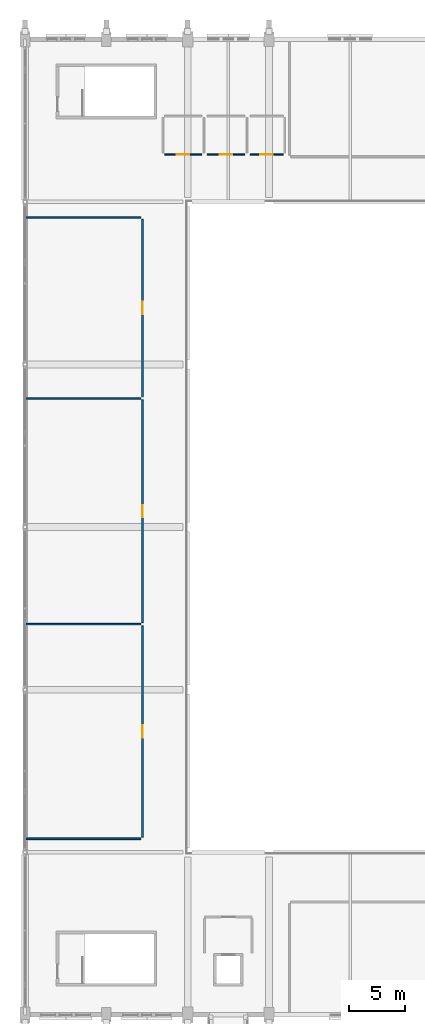
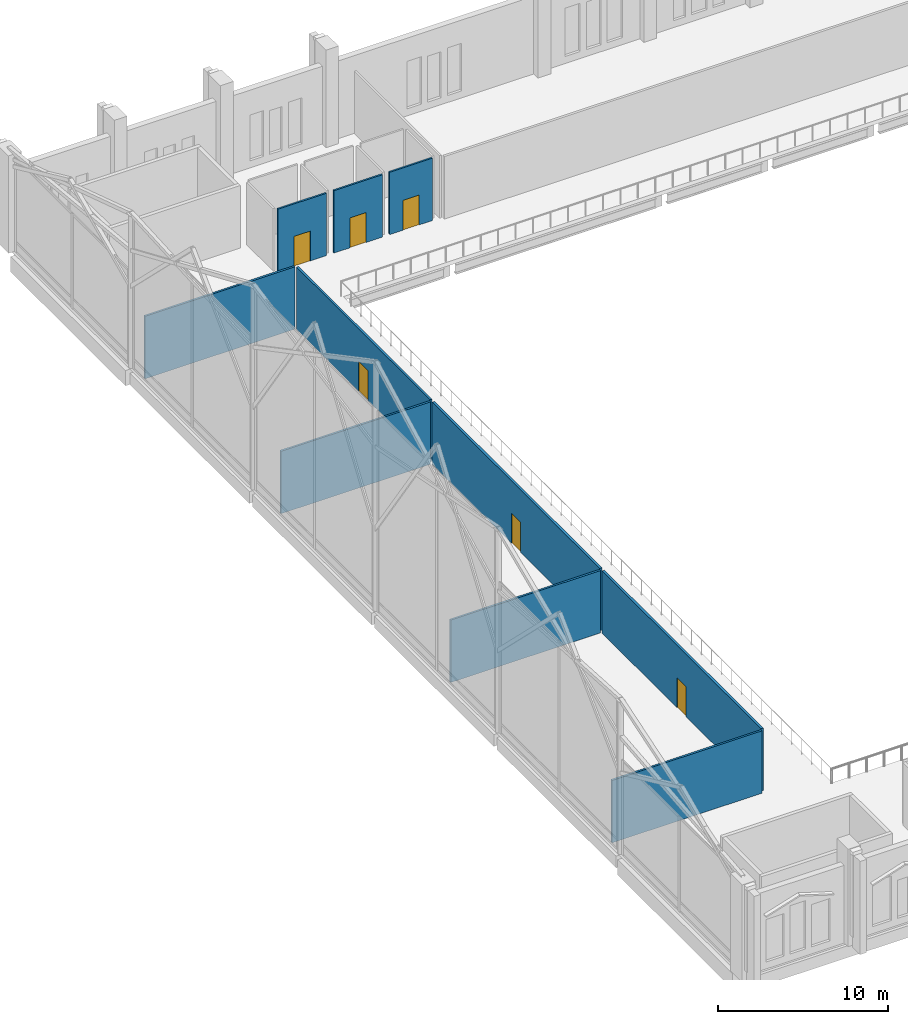
# One storey, part 155 of 220: 10 walls, 6 doors, 6 openings.
"""IFC4 building model written with IfcOpenShell, lengths in metres."""

from ifc_helpers import new_model, si_unit, direction, frame, frame_2d, origin, place, context, subcontext, project, spatial, rectangle, extrude, material, layer, layer_set, type_object, element, fill, save


model = new_model("IFC4")

# Units and contexts
model_context = context("Model", 3, precision=1e-05, world=origin(), true_north=direction((0.0, 1.0)))
body_context = subcontext(model_context, "Body", "Model", "MODEL_VIEW")
ifc_project = project(units=[si_unit("LENGTHUNIT", "METRE"), si_unit("AREAUNIT", "SQUARE_METRE"), si_unit("VOLUMEUNIT", "CUBIC_METRE"), si_unit("PLANEANGLEUNIT", "RADIAN"), si_unit("MASSUNIT", "GRAM", prefix="KILO")], contexts=[model_context])

# Site, building, storey
site_placement = place(None, origin())
site = spatial("IfcSite", under=ifc_project, at=site_placement, CompositionType="ELEMENT")
building_placement = place(site_placement, origin())
building = spatial("IfcBuilding", under=site, at=building_placement, Name="Cendralis Lancet Convention Centre", CompositionType="ELEMENT")
storey_placement = place(building_placement, frame((0.0, 0.0, 5.39990234375)))
storey = spatial("IfcBuildingStorey", under=building, at=storey_placement, Name="L01", CompositionType="ELEMENT", Elevation=5.39990234375)

# Wall, opening, door
ifc_material_1 = material(Name="Acoustic fire-rated gypsum board on steel studs", Category="steel")
ifc_layer_1 = layer(ifc_material_1, 0.1201171875, Name="Acoustic fire-rated gypsum board on steel studs")
ifc_layer_set_1 = layer_set([ifc_layer_1], Name="Acoustic fire-rated gypsum board on steel studs")
wall_type_1 = type_object("IfcWallType", Name="ARC-IW-P120", PredefinedType="PARTITIONING", material=ifc_layer_set_1)
wall_1_placement = place(storey_placement, frame((12.35009765625, 126.60009765625, 0.0), z_axis=(0.0, 0.0, 1.0), x_axis=(1.0, 0.0, 0.0)))
wall_1 = element("IfcWall", 1, at=wall_1_placement, inside=storey, type_object=wall_type_1, Name="L01 Interior Partition IW-05 #0045", PredefinedType="PARTITIONING", context=body_context, shape_type="SweptSolid", body=[
    extrude(rectangle(XDim=3.2998046875, YDim=0.1201171875, at=frame_2d((1.64990234375, 0.0))), origin(), (0.0, 0.0, 1.0), 4.485107421875),
])
opening_1_placement = place(wall_1_placement, frame((1.10009765625, 0.0, 0.0)))
opening_1 = element("IfcOpeningElement", 2, at=opening_1_placement, cuts=wall_1, Name="Opening FD-11", PredefinedType="OPENING", context=body_context, shape_type="SweptSolid", body=[
    extrude(rectangle(XDim=1.10009765625, YDim=2.14990234375, at=frame_2d((0.550048828125, 1.074951171875))), frame((0.0, 0.070068359375, 0.0), z_axis=(0.0, -1.0, 0.0), x_axis=(1.0, 0.0, 0.0)), (0.0, 0.0, 1.0), 0.14013671875),
])
ifc_material_2 = material(Name="Steel S355", Category="steel")
door_type = type_object("IfcDoorType", Name="ARC-DR-FF11", OperationType="NOTDEFINED", PredefinedType="DOOR", material=ifc_material_2)
door_1_placement = place(opening_1_placement, frame((1.10009765625, 0.0, 0.0), z_axis=(0.0, 0.0, 1.0), x_axis=(-1.0, 0.0, 0.0)))
door_1 = element("IfcDoor", 3, at=door_1_placement, inside=storey, type_object=door_type, Name="L01-D008 L01 Interior Door FD-11 #0015", OperationType="SINGLE_SWING_RIGHT", OverallHeight=2.14990234375, OverallWidth=1.10009765625, PredefinedType="DOOR", context=body_context, shape_type="SweptSolid", body=[
    extrude(rectangle(XDim=1.10009765625, YDim=2.14990234375, at=frame_2d((0.550048828125, 1.074951171875))), frame((0.0, 0.02490234375, 0.0), z_axis=(0.0, -1.0, 0.0), x_axis=(1.0, 0.0, 0.0)), (0.0, 0.0, 1.0), 0.050048828125),
])
fill(opening_1, door_1)

wall_2_placement = place(storey_placement, frame((16.14990234375, 126.60009765625, 0.0), z_axis=(0.0, 0.0, 1.0), x_axis=(1.0, 0.0, 0.0)))
wall_2 = element("IfcWall", 4, at=wall_2_placement, inside=storey, type_object=wall_type_1, Name="L01 Interior Partition IW-05 #0049", PredefinedType="PARTITIONING", context=body_context, shape_type="SweptSolid", body=[
    extrude(rectangle(XDim=3.300048828125, YDim=0.1201171875, at=frame_2d((1.64990234375, 0.0))), origin(), (0.0, 0.0, 1.0), 4.485107421875),
])
opening_2_placement = place(wall_2_placement, frame((1.10009765625, 0.0, 0.0)))
opening_2 = element("IfcOpeningElement", 5, at=opening_2_placement, cuts=wall_2, Name="Opening FD-11", PredefinedType="OPENING", context=body_context, shape_type="SweptSolid", body=[
    extrude(rectangle(XDim=1.10009765625, YDim=2.14990234375, at=frame_2d((0.550048828125, 1.074951171875))), frame((0.0, 0.070068359375, 0.0), z_axis=(0.0, -1.0, 0.0), x_axis=(1.0, 0.0, 0.0)), (0.0, 0.0, 1.0), 0.14013671875),
])
door_2_placement = place(opening_2_placement, origin())
door_2 = element("IfcDoor", 6, at=door_2_placement, inside=storey, type_object=door_type, Name="L01-D009 L01 Interior Door FD-11 #0016", OperationType="SINGLE_SWING_LEFT", OverallHeight=2.14990234375, OverallWidth=1.10009765625, PredefinedType="DOOR", context=body_context, shape_type="SweptSolid", body=[
    extrude(rectangle(XDim=1.10009765625, YDim=2.14990234375, at=frame_2d((0.550048828125, 1.074951171875))), frame((0.0, 0.02490234375, 0.0), z_axis=(0.0, -1.0, 0.0), x_axis=(1.0, 0.0, 0.0)), (0.0, 0.0, 1.0), 0.050048828125),
])
fill(opening_2, door_2)

wall_3_placement = place(storey_placement, frame((19.949951171875, 126.60009765625, 0.0), z_axis=(0.0, 0.0, 1.0), x_axis=(1.0, 0.0, 0.0)))
wall_3 = element("IfcWall", 7, at=wall_3_placement, inside=storey, type_object=wall_type_1, Name="L01 Interior Partition IW-05 #0052", PredefinedType="PARTITIONING", context=body_context, shape_type="SweptSolid", body=[
    extrude(rectangle(XDim=2.900146484375, YDim=0.1201171875, at=frame_2d((1.4501953125, 0.0))), origin(), (0.0, 0.0, 1.0), 4.485107421875),
])
opening_3_placement = place(wall_3_placement, frame((0.89990234375, 0.0, 0.0)))
opening_3 = element("IfcOpeningElement", 8, at=opening_3_placement, cuts=wall_3, Name="Opening FD-11", PredefinedType="OPENING", context=body_context, shape_type="SweptSolid", body=[
    extrude(rectangle(XDim=1.10009765625, YDim=2.14990234375, at=frame_2d((0.550048828125, 1.074951171875))), frame((0.0, 0.070068359375, 0.0), z_axis=(0.0, -1.0, 0.0), x_axis=(1.0, 0.0, 0.0)), (0.0, 0.0, 1.0), 0.14013671875),
])
door_3_placement = place(opening_3_placement, frame((1.10009765625, 0.0, 0.0), z_axis=(0.0, 0.0, 1.0), x_axis=(-1.0, 0.0, 0.0)))
door_3 = element("IfcDoor", 9, at=door_3_placement, inside=storey, type_object=door_type, Name="L01-D010 L01 Interior Door FD-11 #0017", OperationType="SINGLE_SWING_RIGHT", OverallHeight=2.14990234375, OverallWidth=1.10009765625, PredefinedType="DOOR", context=body_context, shape_type="SweptSolid", body=[
    extrude(rectangle(XDim=1.10009765625, YDim=2.14990234375, at=frame_2d((0.550048828125, 1.074951171875))), frame((0.0, 0.02490234375, 0.0), z_axis=(0.0, -1.0, 0.0), x_axis=(1.0, 0.0, 0.0)), (0.0, 0.0, 1.0), 0.050048828125),
])
fill(opening_3, door_3)

# Walls
ifc_layer_2 = layer(ifc_material_1, 0.139892578125, Name="Acoustic fire-rated gypsum board on steel studs")
ifc_layer_set_2 = layer_set([ifc_layer_2], Name="Acoustic fire-rated gypsum board on steel studs")
wall_type_2 = type_object("IfcWallType", Name="ARC-IW-P140", PredefinedType="PARTITIONING", material=ifc_layer_set_2)
for number, where, z_axis, x_axis, name in (
    (10, (0.080078125, 66.0, 0.0), (0.0, 0.0, 1.0), (1.0, 0.0, 0.0), "L01 Interior Partition IW-04 #0032"),
    (11, (0.080078125, 85.0, 0.0), (0.0, 0.0, 1.0), (1.0, 0.0, 0.0), "L01 Interior Partition IW-04 #0033"),
    (12, (0.080078125, 105.0, 0.0), (0.0, 0.0, 1.0), (1.0, 0.0, 0.0), "L01 Interior Partition IW-04 #0035"),
    (13, (0.080078125, 121.0, 0.0), (0.0, 0.0, 1.0), (1.0, 0.0, 0.0), "L01 Interior Partition IW-04 #0037"),
):
    element("IfcWall", number, at=place(storey_placement, frame(where, z_axis=z_axis, x_axis=x_axis)), inside=storey, type_object=wall_type_2, Name=name, PredefinedType="PARTITIONING", context=body_context, shape_type="SweptSolid", body=[
        extrude(rectangle(XDim=10.179931640625, YDim=0.139892578125, at=frame_2d((5.08984375, 0.0))), origin(), (0.0, 0.0, 1.0), 4.485107421875),
    ])

# Wall, opening, door
wall_4_placement = place(storey_placement, frame((10.39990234375, 105.139892578125, 0.0), z_axis=(0.0, 0.0, 1.0), x_axis=(0.0, 1.0, 0.0)))
wall_4 = element("IfcWall", 14, at=wall_4_placement, inside=storey, type_object=wall_type_2, Name="L01 Interior Partition IW-04 #0038", PredefinedType="PARTITIONING", context=body_context, shape_type="SweptSolid", body=[
    extrude(rectangle(XDim=15.72021484375, YDim=0.139892578125, at=frame_2d((7.860107421875, 0.0))), origin(), (0.0, 0.0, 1.0), 4.485107421875),
])
opening_4_placement = place(wall_4_placement, frame((7.31005859375, 0.0, 0.0)))
opening_4 = element("IfcOpeningElement", 15, at=opening_4_placement, cuts=wall_4, Name="Opening FD-11", PredefinedType="OPENING", context=body_context, shape_type="SweptSolid", body=[
    extrude(rectangle(XDim=1.10009765625, YDim=2.14990234375, at=frame_2d((0.550048828125, 1.074951171875))), frame((0.0, 0.079833984375, 0.0), z_axis=(0.0, -1.0, 0.0), x_axis=(1.0, 0.0, 0.0)), (0.0, 0.0, 1.0), 0.159912109375),
])
door_4_placement = place(opening_4_placement, origin())
door_4 = element("IfcDoor", 16, at=door_4_placement, inside=storey, type_object=door_type, Name="L01-D005 L01 Interior Door FD-11 #0012", OperationType="SINGLE_SWING_RIGHT", OverallHeight=2.14990234375, OverallWidth=1.10009765625, PredefinedType="DOOR", context=body_context, shape_type="SweptSolid", body=[
    extrude(rectangle(XDim=1.10009765625, YDim=2.14990234375, at=frame_2d((0.550048828125, 1.074951171875))), frame((0.0, 0.02490234375, 0.0), z_axis=(0.0, -1.0, 0.0), x_axis=(1.0, 0.0, 0.0)), (0.0, 0.0, 1.0), 0.050048828125),
])
fill(opening_4, door_4)

ifc_layer_3 = layer(ifc_material_1, 0.159912109375, Name="Acoustic fire-rated gypsum board on steel studs")
ifc_layer_set_3 = layer_set([ifc_layer_3], Name="Acoustic fire-rated gypsum board on steel studs")
wall_type_3 = type_object("IfcWallType", Name="ARC-IW-P160", PredefinedType="PARTITIONING", material=ifc_layer_set_3)
wall_5_placement = place(storey_placement, frame((10.39990234375, 66.139892578125, 0.0), z_axis=(0.0, 0.0, 1.0), x_axis=(0.0, 1.0, 0.0)))
wall_5 = element("IfcWall", 17, at=wall_5_placement, inside=storey, type_object=wall_type_3, Name="L01 Interior Partition IW-03 #0034", PredefinedType="PARTITIONING", context=body_context, shape_type="SweptSolid", body=[
    extrude(rectangle(XDim=18.72021484375, YDim=0.159912109375, at=frame_2d((9.360107421875, 0.0))), origin(), (0.0, 0.0, 1.0), 4.485107421875),
])
opening_5_placement = place(wall_5_placement, frame((8.81005859375, 0.0, 0.0)))
opening_5 = element("IfcOpeningElement", 18, at=opening_5_placement, cuts=wall_5, Name="Opening FD-11", PredefinedType="OPENING", context=body_context, shape_type="SweptSolid", body=[
    extrude(rectangle(XDim=1.10009765625, YDim=2.14990234375, at=frame_2d((0.550048828125, 1.074951171875))), frame((0.0, 0.08984375, 0.0), z_axis=(0.0, -1.0, 0.0), x_axis=(1.0, 0.0, 0.0)), (0.0, 0.0, 1.0), 0.179931640625),
])
door_5_placement = place(opening_5_placement, origin())
door_5 = element("IfcDoor", 19, at=door_5_placement, inside=storey, type_object=door_type, Name="L01-D003 L01 Interior Door FD-11 #0010", OperationType="SINGLE_SWING_RIGHT", OverallHeight=2.14990234375, OverallWidth=1.10009765625, PredefinedType="DOOR", context=body_context, shape_type="SweptSolid", body=[
    extrude(rectangle(XDim=1.10009765625, YDim=2.14990234375, at=frame_2d((0.550048828125, 1.074951171875))), frame((0.0, 0.02490234375, 0.0), z_axis=(0.0, -1.0, 0.0), x_axis=(1.0, 0.0, 0.0)), (0.0, 0.0, 1.0), 0.050048828125),
])
fill(opening_5, door_5)

wall_6_placement = place(storey_placement, frame((10.39990234375, 85.139892578125, 0.0), z_axis=(0.0, 0.0, 1.0), x_axis=(0.0, 1.0, 0.0)))
wall_6 = element("IfcWall", 20, at=wall_6_placement, inside=storey, type_object=wall_type_3, Name="L01 Interior Partition IW-03 #0036", PredefinedType="PARTITIONING", context=body_context, shape_type="SweptSolid", body=[
    extrude(rectangle(XDim=19.72021484375, YDim=0.159912109375, at=frame_2d((9.860107421875, 0.0))), origin(), (0.0, 0.0, 1.0), 4.485107421875),
])
opening_6_placement = place(wall_6_placement, frame((9.31005859375, 0.0, 0.0)))
opening_6 = element("IfcOpeningElement", 21, at=opening_6_placement, cuts=wall_6, Name="Opening FD-11", PredefinedType="OPENING", context=body_context, shape_type="SweptSolid", body=[
    extrude(rectangle(XDim=1.10009765625, YDim=2.14990234375, at=frame_2d((0.550048828125, 1.074951171875))), frame((0.0, 0.08984375, 0.0), z_axis=(0.0, -1.0, 0.0), x_axis=(1.0, 0.0, 0.0)), (0.0, 0.0, 1.0), 0.179931640625),
])
door_6_placement = place(opening_6_placement, frame((1.10009765625, 0.0, 0.0), z_axis=(0.0, 0.0, 1.0), x_axis=(-1.0, 0.0, 0.0)))
door_6 = element("IfcDoor", 22, at=door_6_placement, inside=storey, type_object=door_type, Name="L01-D004 L01 Interior Door FD-11 #0011", OperationType="SINGLE_SWING_LEFT", OverallHeight=2.14990234375, OverallWidth=1.10009765625, PredefinedType="DOOR", context=body_context, shape_type="SweptSolid", body=[
    extrude(rectangle(XDim=1.10009765625, YDim=2.14990234375, at=frame_2d((0.550048828125, 1.074951171875))), frame((0.0, 0.02490234375, 0.0), z_axis=(0.0, -1.0, 0.0), x_axis=(1.0, 0.0, 0.0)), (0.0, 0.0, 1.0), 0.050048828125),
])
fill(opening_6, door_6)

save(model, "model.ifc")
